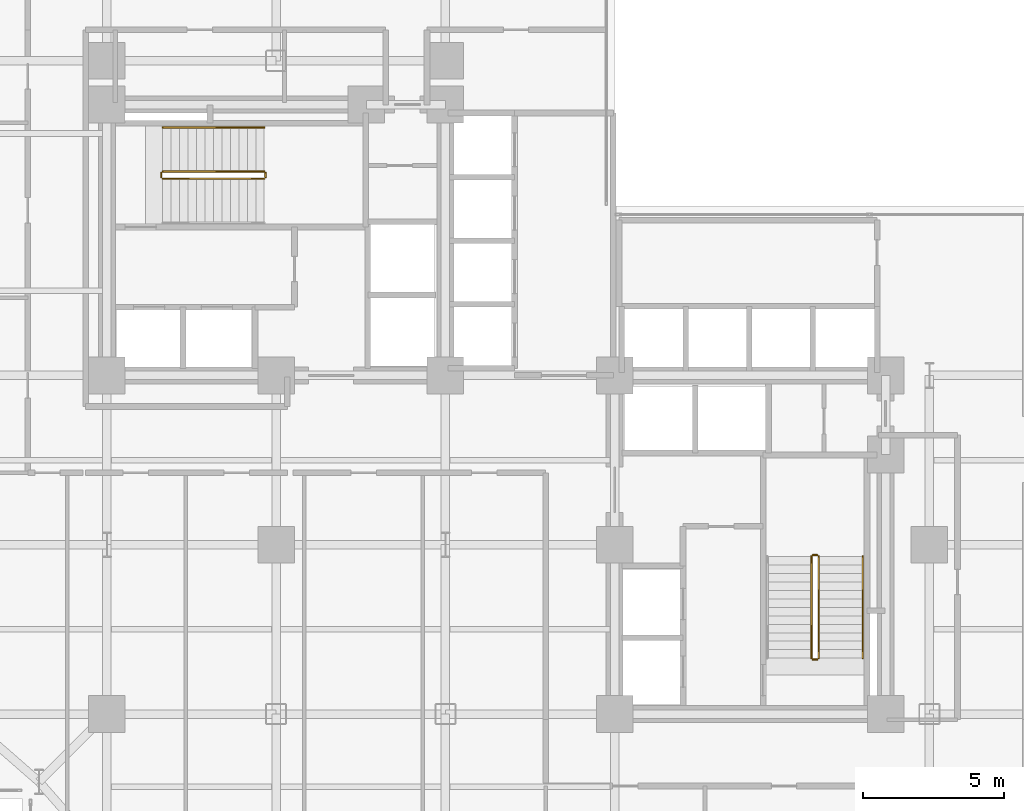
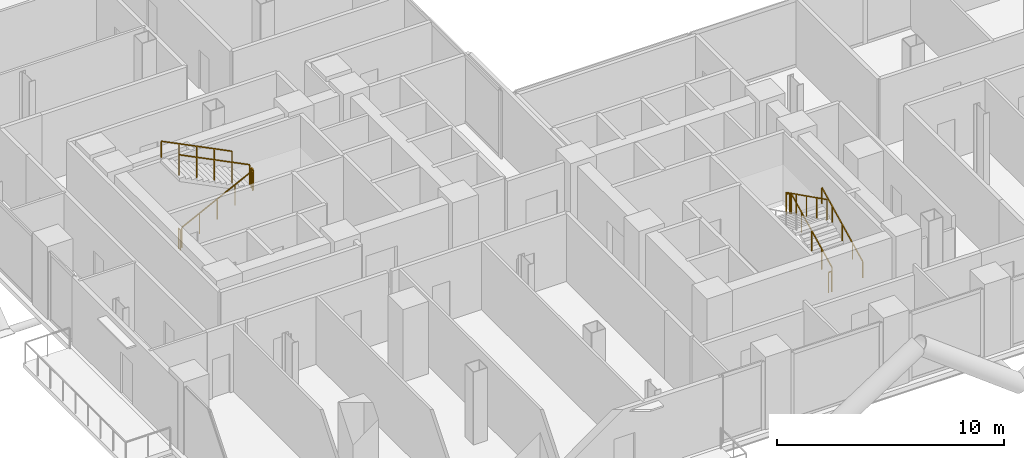
# One storey, part 25 of 25: 10 railings.
"""IFC4 building model written with IfcOpenShell, lengths in metres."""

from ifc_helpers import new_model, si_unit, direction, frame, origin, origin_2d, place, context, subcontext, project, spatial, rectangle, extrude, material, type_object, element, save


model = new_model("IFC4")

# Units and contexts
model_context = context("Model", 3, precision=1e-05, world=origin(), true_north=direction((0.0, 1.0)))
body_context = subcontext(model_context, "Body", "Model", "MODEL_VIEW")
ifc_project = project(units=[si_unit("LENGTHUNIT", "METRE"), si_unit("AREAUNIT", "SQUARE_METRE"), si_unit("VOLUMEUNIT", "CUBIC_METRE"), si_unit("PLANEANGLEUNIT", "RADIAN"), si_unit("MASSUNIT", "GRAM", prefix="KILO"), si_unit("THERMODYNAMICTEMPERATUREUNIT", "KELVIN"), si_unit("POWERUNIT", "WATT")], contexts=[model_context])

# Site, building, storey
site_placement = place(None, origin())
site = spatial("IfcSite", under=ifc_project, at=site_placement, CompositionType="ELEMENT")
building_placement = place(site_placement, origin())
building = spatial("IfcBuilding", under=site, at=building_placement, Name="Svarakhadi Broadcast Tower", CompositionType="ELEMENT")
storey_placement = place(building_placement, frame((0.0, 0.0, 51.89990234375)))
storey = spatial("IfcBuildingStorey", under=building, at=storey_placement, Name="L11", CompositionType="ELEMENT", Elevation=51.89990234375)

# Railings
ifc_material = material(Name="Anodised Bronze Aluminium AA 6063-T6", Category="aluminium")
railing_type_1 = type_object("IfcRailingType", Name="Guard_Stair_GR01", PredefinedType="GUARDRAIL", material=ifc_material)
railing_1_placement = place(storey_placement, frame((7.97998046875, 24.969970703125, 0.150146484375)))
element("IfcRailing", 1, at=railing_1_placement, inside=storey, type_object=railing_type_1, Name="L11 ST-01 stair guard 1", PredefinedType="GUARDRAIL", context=body_context, shape_type="SweptSolid", body=[
    extrude(rectangle(XDim=0.048095703125, YDim=0.048095703125, at=origin_2d()), frame((0.0, 0.0, 1.09619140625), z_axis=(0.894427191, 0.0, 0.4472135955), x_axis=(0.0, 1.0, 0.0)), (0.0, 0.0, 1.0), 4.025146484375),
    extrude(rectangle(XDim=0.0419921875, YDim=0.0419921875, at=origin_2d()), origin(), (0.0, 0.0, 1.0), 1.072021484375),
    extrude(rectangle(XDim=0.0419921875, YDim=0.0419921875, at=origin_2d()), frame((0.89990234375, 0.0, 0.449951171875)), (0.0, 0.0, 1.0), 1.072021484375),
    extrude(rectangle(XDim=0.0419921875, YDim=0.0419921875, at=origin_2d()), frame((1.800048828125, 0.0, 0.89990234375)), (0.0, 0.0, 1.0), 1.072021484375),
    extrude(rectangle(XDim=0.0419921875, YDim=0.0419921875, at=origin_2d()), frame((2.7001953125, 0.0, 1.35009765625)), (0.0, 0.0, 1.0), 1.072021484375),
    extrude(rectangle(XDim=0.0419921875, YDim=0.0419921875, at=origin_2d()), frame((3.60009765625, 0.0, 1.800048828125)), (0.0, 0.0, 1.0), 1.072021484375),
])
railing_2_placement = place(storey_placement, frame((11.6298828125, 25.02001953125, 1.9501953125)))
element("IfcRailing", 2, at=railing_2_placement, inside=storey, type_object=railing_type_1, Name="L11 ST-01 stair guard 2", PredefinedType="GUARDRAIL", context=body_context, shape_type="SweptSolid", body=[
    extrude(rectangle(XDim=0.048095703125, YDim=0.048095703125, at=origin_2d()), frame((0.0, 0.0, 1.09619140625), z_axis=(0.0, 1.0, 0.0), x_axis=(-1.0, 0.0, 0.0)), (0.0, 0.0, 1.0), 0.159912109375),
    extrude(rectangle(XDim=0.0419921875, YDim=0.0419921875, at=origin_2d()), origin(), (0.0, 0.0, 1.0), 1.072021484375),
    extrude(rectangle(XDim=0.0419921875, YDim=0.0419921875, at=origin_2d()), frame((0.0, 0.159912109375, 0.0)), (0.0, 0.0, 1.0), 1.072021484375),
])
railing_3_placement = place(storey_placement, frame((11.580078125, 25.22998046875, 2.10009765625)))
element("IfcRailing", 3, at=railing_3_placement, inside=storey, type_object=railing_type_1, Name="L11 ST-01 stair guard 3", PredefinedType="GUARDRAIL", context=body_context, shape_type="SweptSolid", body=[
    extrude(rectangle(XDim=0.048095703125, YDim=0.048095703125, at=origin_2d()), frame((0.0, 0.0, 1.09619140625), z_axis=(-0.894427191, 0.0, 0.4472135955), x_axis=(0.0, -1.0, 0.0)), (0.0, 0.0, 1.0), 4.025146484375),
    extrude(rectangle(XDim=0.0419921875, YDim=0.0419921875, at=origin_2d()), origin(), (0.0, 0.0, 1.0), 1.072021484375),
    extrude(rectangle(XDim=0.0419921875, YDim=0.0419921875, at=origin_2d()), frame((-0.89990234375, 0.0, 0.449951171875)), (0.0, 0.0, 1.0), 1.072021484375),
    extrude(rectangle(XDim=0.0419921875, YDim=0.0419921875, at=origin_2d()), frame((-1.800048828125, 0.0, 0.89990234375)), (0.0, 0.0, 1.0), 1.072021484375),
    extrude(rectangle(XDim=0.0419921875, YDim=0.0419921875, at=origin_2d()), frame((-2.7001953125, 0.0, 1.35009765625)), (0.0, 0.0, 1.0), 1.072021484375),
    extrude(rectangle(XDim=0.0419921875, YDim=0.0419921875, at=origin_2d()), frame((-3.60009765625, 0.0, 1.800048828125)), (0.0, 0.0, 1.0), 1.072021484375),
])
railing_4_placement = place(storey_placement, frame((7.929931640625, 25.02001953125, 0.0)))
element("IfcRailing", 4, at=railing_4_placement, inside=storey, type_object=railing_type_1, Name="L11 ST-01 stair guard 4", PredefinedType="GUARDRAIL", context=body_context, shape_type="SweptSolid", body=[
    extrude(rectangle(XDim=0.048095703125, YDim=0.048095703125, at=origin_2d()), frame((0.0, 0.0, 1.09619140625), z_axis=(0.0, 1.0, 0.0), x_axis=(-1.0, 0.0, 0.0)), (0.0, 0.0, 1.0), 0.159912109375),
    extrude(rectangle(XDim=0.0419921875, YDim=0.0419921875, at=origin_2d()), origin(), (0.0, 0.0, 1.0), 1.072021484375),
    extrude(rectangle(XDim=0.0419921875, YDim=0.0419921875, at=origin_2d()), frame((0.0, 0.159912109375, 0.0)), (0.0, 0.0, 1.0), 1.072021484375),
])
railing_5_placement = place(storey_placement, frame((31.22998046875, 7.97998046875, 0.150146484375)))
element("IfcRailing", 5, at=railing_5_placement, inside=storey, type_object=railing_type_1, Name="L11 ST-02 stair guard 1", PredefinedType="GUARDRAIL", context=body_context, shape_type="SweptSolid", body=[
    extrude(rectangle(XDim=0.048095703125, YDim=0.048095703125, at=origin_2d()), frame((0.0, 0.0, 1.09619140625), z_axis=(0.0, 0.894427191, 0.4472135955), x_axis=(-1.0, 0.0, 0.0)), (0.0, 0.0, 1.0), 4.025146484375),
    extrude(rectangle(XDim=0.0419921875, YDim=0.0419921875, at=origin_2d()), origin(), (0.0, 0.0, 1.0), 1.072021484375),
    extrude(rectangle(XDim=0.0419921875, YDim=0.0419921875, at=origin_2d()), frame((0.0, 0.89990234375, 0.449951171875)), (0.0, 0.0, 1.0), 1.072021484375),
    extrude(rectangle(XDim=0.0419921875, YDim=0.0419921875, at=origin_2d()), frame((0.0, 1.800048828125, 0.89990234375)), (0.0, 0.0, 1.0), 1.072021484375),
    extrude(rectangle(XDim=0.0419921875, YDim=0.0419921875, at=origin_2d()), frame((0.0, 2.7001953125, 1.35009765625)), (0.0, 0.0, 1.0), 1.072021484375),
    extrude(rectangle(XDim=0.0419921875, YDim=0.0419921875, at=origin_2d()), frame((0.0, 3.60009765625, 1.800048828125)), (0.0, 0.0, 1.0), 1.072021484375),
])
railing_6_placement = place(storey_placement, frame((31.179931640625, 11.6298828125, 1.9501953125)))
element("IfcRailing", 6, at=railing_6_placement, inside=storey, type_object=railing_type_1, Name="L11 ST-02 stair guard 2", PredefinedType="GUARDRAIL", context=body_context, shape_type="SweptSolid", body=[
    extrude(rectangle(XDim=0.048095703125, YDim=0.048095703125, at=origin_2d()), frame((0.0, 0.0, 1.09619140625), z_axis=(-1.0, 0.0, 0.0), x_axis=(0.0, -1.0, 0.0)), (0.0, 0.0, 1.0), 0.159912109375),
    extrude(rectangle(XDim=0.0419921875, YDim=0.0419921875, at=origin_2d()), origin(), (0.0, 0.0, 1.0), 1.072021484375),
    extrude(rectangle(XDim=0.0419921875, YDim=0.0419921875, at=origin_2d()), frame((-0.159912109375, 0.0, 0.0)), (0.0, 0.0, 1.0), 1.072021484375),
])
railing_7_placement = place(storey_placement, frame((30.969970703125, 11.580078125, 2.10009765625)))
element("IfcRailing", 7, at=railing_7_placement, inside=storey, type_object=railing_type_1, Name="L11 ST-02 stair guard 3", PredefinedType="GUARDRAIL", context=body_context, shape_type="SweptSolid", body=[
    extrude(rectangle(XDim=0.048095703125, YDim=0.048095703125, at=origin_2d()), frame((0.0, 0.0, 1.09619140625), z_axis=(0.0, -0.894427191, 0.4472135955), x_axis=(1.0, 0.0, 0.0)), (0.0, 0.0, 1.0), 4.025146484375),
    extrude(rectangle(XDim=0.0419921875, YDim=0.0419921875, at=origin_2d()), origin(), (0.0, 0.0, 1.0), 1.072021484375),
    extrude(rectangle(XDim=0.0419921875, YDim=0.0419921875, at=origin_2d()), frame((0.0, -0.89990234375, 0.449951171875)), (0.0, 0.0, 1.0), 1.072021484375),
    extrude(rectangle(XDim=0.0419921875, YDim=0.0419921875, at=origin_2d()), frame((0.0, -1.800048828125, 0.89990234375)), (0.0, 0.0, 1.0), 1.072021484375),
    extrude(rectangle(XDim=0.0419921875, YDim=0.0419921875, at=origin_2d()), frame((0.0, -2.7001953125, 1.35009765625)), (0.0, 0.0, 1.0), 1.072021484375),
    extrude(rectangle(XDim=0.0419921875, YDim=0.0419921875, at=origin_2d()), frame((0.0, -3.60009765625, 1.800048828125)), (0.0, 0.0, 1.0), 1.072021484375),
])
railing_8_placement = place(storey_placement, frame((31.179931640625, 7.929931640625, 0.0)))
element("IfcRailing", 8, at=railing_8_placement, inside=storey, type_object=railing_type_1, Name="L11 ST-02 stair guard 4", PredefinedType="GUARDRAIL", context=body_context, shape_type="SweptSolid", body=[
    extrude(rectangle(XDim=0.048095703125, YDim=0.048095703125, at=origin_2d()), frame((0.0, 0.0, 1.09619140625), z_axis=(-1.0, 0.0, 0.0), x_axis=(0.0, -1.0, 0.0)), (0.0, 0.0, 1.0), 0.159912109375),
    extrude(rectangle(XDim=0.0419921875, YDim=0.0419921875, at=origin_2d()), origin(), (0.0, 0.0, 1.0), 1.072021484375),
    extrude(rectangle(XDim=0.0419921875, YDim=0.0419921875, at=origin_2d()), frame((-0.159912109375, 0.0, 0.0)), (0.0, 0.0, 1.0), 1.072021484375),
])
railing_type_2 = type_object("IfcRailingType", Name="Handrail_Stair_HR01", PredefinedType="HANDRAIL", material=ifc_material)
railing_9_placement = place(storey_placement, frame((11.580078125, 26.7900390625, 2.10009765625)))
element("IfcRailing", 9, at=railing_9_placement, inside=storey, type_object=railing_type_2, Name="L11 ST-01 stair handrail 2", PredefinedType="HANDRAIL", context=body_context, shape_type="SweptSolid", body=[
    extrude(rectangle(XDim=0.048095703125, YDim=0.048095703125, at=origin_2d()), frame((0.0, 0.0, 0.8759765625), z_axis=(-0.894427191, 0.0, 0.4472135955), x_axis=(0.0, -1.0, 0.0)), (0.0, 0.0, 1.0), 4.025146484375),
    extrude(rectangle(XDim=0.0419921875, YDim=0.0419921875, at=origin_2d()), origin(), (0.0, 0.0, 1.0), 0.851806640625),
    extrude(rectangle(XDim=0.0419921875, YDim=0.0419921875, at=origin_2d()), frame((-0.89990234375, 0.0, 0.449951171875)), (0.0, 0.0, 1.0), 0.851806640625),
    extrude(rectangle(XDim=0.0419921875, YDim=0.0419921875, at=origin_2d()), frame((-1.800048828125, 0.0, 0.89990234375)), (0.0, 0.0, 1.0), 0.851806640625),
    extrude(rectangle(XDim=0.0419921875, YDim=0.0419921875, at=origin_2d()), frame((-2.7001953125, 0.0, 1.35009765625)), (0.0, 0.0, 1.0), 0.851806640625),
    extrude(rectangle(XDim=0.0419921875, YDim=0.0419921875, at=origin_2d()), frame((-3.60009765625, 0.0, 1.800048828125)), (0.0, 0.0, 1.0), 0.851806640625),
])
railing_10_placement = place(storey_placement, frame((32.7900390625, 7.97998046875, 0.150146484375)))
element("IfcRailing", 10, at=railing_10_placement, inside=storey, type_object=railing_type_2, Name="L11 ST-02 stair handrail 1", PredefinedType="HANDRAIL", context=body_context, shape_type="SweptSolid", body=[
    extrude(rectangle(XDim=0.048095703125, YDim=0.048095703125, at=origin_2d()), frame((0.0, 0.0, 0.8759765625), z_axis=(0.0, 0.894427191, 0.4472135955), x_axis=(-1.0, 0.0, 0.0)), (0.0, 0.0, 1.0), 4.025146484375),
    extrude(rectangle(XDim=0.0419921875, YDim=0.0419921875, at=origin_2d()), origin(), (0.0, 0.0, 1.0), 0.851806640625),
    extrude(rectangle(XDim=0.0419921875, YDim=0.0419921875, at=origin_2d()), frame((0.0, 0.89990234375, 0.449951171875)), (0.0, 0.0, 1.0), 0.851806640625),
    extrude(rectangle(XDim=0.0419921875, YDim=0.0419921875, at=origin_2d()), frame((0.0, 1.800048828125, 0.89990234375)), (0.0, 0.0, 1.0), 0.851806640625),
    extrude(rectangle(XDim=0.0419921875, YDim=0.0419921875, at=origin_2d()), frame((0.0, 2.7001953125, 1.35009765625)), (0.0, 0.0, 1.0), 0.851806640625),
    extrude(rectangle(XDim=0.0419921875, YDim=0.0419921875, at=origin_2d()), frame((0.0, 3.60009765625, 1.800048828125)), (0.0, 0.0, 1.0), 0.851806640625),
])

save(model, "model.ifc")
